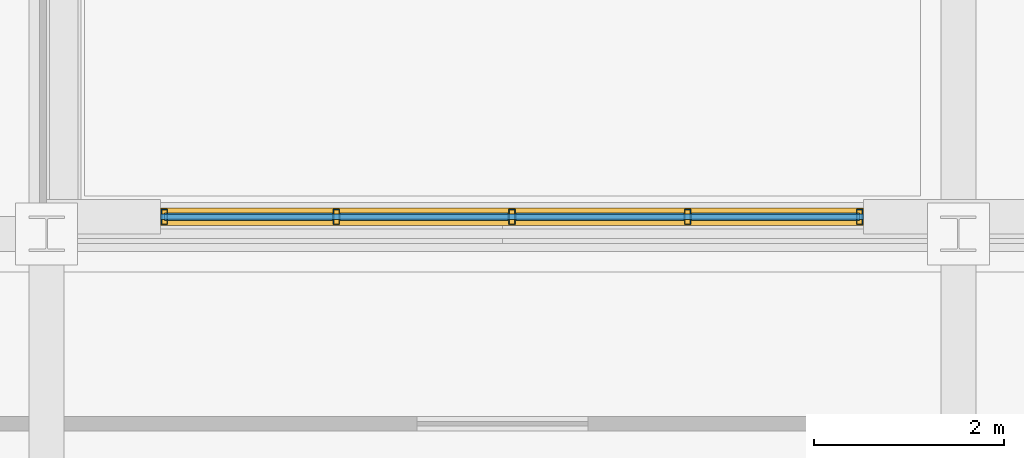
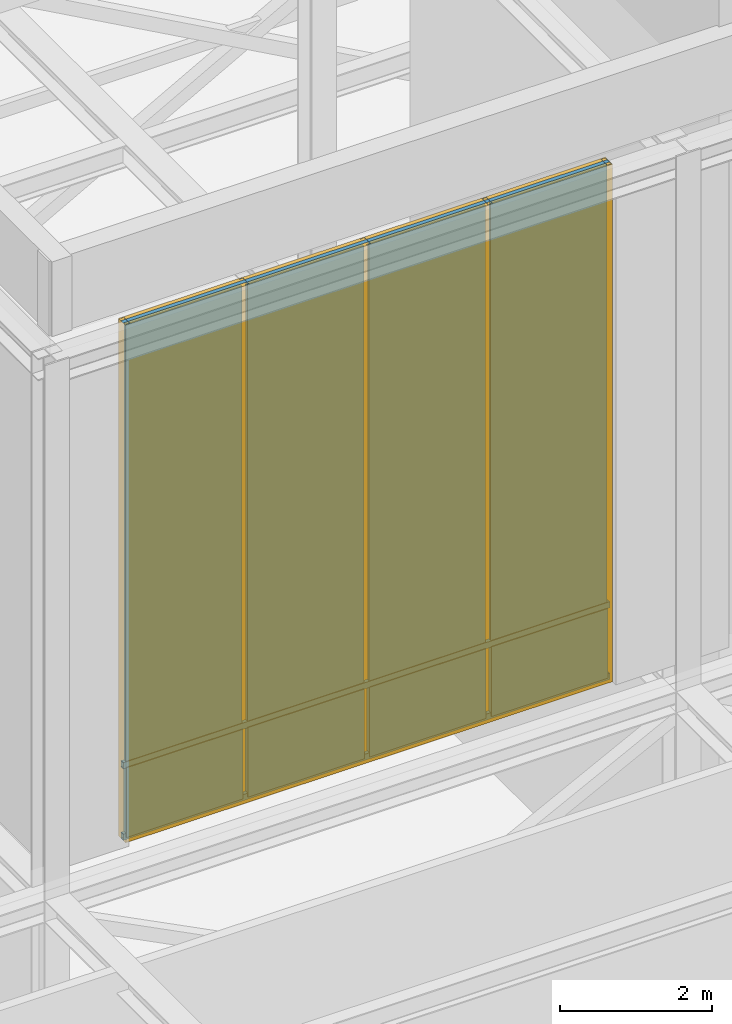
# One storey, part 8 of 17: 8 members, 8 plates, 1 curtain wall.
"""IFC4 building model written with IfcOpenShell, lengths in metres."""

from ifc_helpers import new_model, si_unit, direction, frame, frame_2d, origin, origin_2d, place, context, subcontext, project, spatial, rectangle, hollow_rectangle, extrude, material, layer, layer_set, material_profile, profile_set, type_object, element, aggregate, save


model = new_model("IFC4")

# Units and contexts
model_context = context("Model", 3, precision=1e-05, world=origin(), true_north=direction((0.0, 1.0)))
body_context = subcontext(model_context, "Body", "Model", "MODEL_VIEW")
ifc_project = project(units=[si_unit("LENGTHUNIT", "METRE"), si_unit("AREAUNIT", "SQUARE_METRE"), si_unit("VOLUMEUNIT", "CUBIC_METRE"), si_unit("PLANEANGLEUNIT", "RADIAN"), si_unit("MASSUNIT", "GRAM", prefix="KILO")], contexts=[model_context])

# Member
ifc_material_1 = material(Name="Anodized Aluminium 6063-T6", Category="aluminium")
ifc_material_profile_1 = material_profile(ifc_material_1, hollow_rectangle(XDim=0.06494140625, YDim=0.159912109375, WallThickness=0.00390625, at=origin_2d()), Name="Anodized Aluminium 6063-T6")
ifc_profile_set_1 = profile_set([ifc_material_profile_1], Name="Anodized Aluminium 6063-T6")
member_type_1 = type_object("IfcMemberType", Name="Curtain Wall Mullion 160", PredefinedType="MULLION", material=ifc_profile_set_1)
site_placement = place(None, origin())
building_placement = place(site_placement, origin())
storey_placement = place(building_placement, frame((0.0, 0.0, 308.0)))
member_1_placement = place(storey_placement, frame((20.43994140625, 9.780029296875, 5.800048828125), z_axis=(0.0, 0.0, 1.0), x_axis=(1.0, 0.0, 0.0)))
member_1 = element("IfcMember", 1, at=member_1_placement, type_object=member_type_1, Name="Curtain Wall Mullion CW-L78-LANT-S-M01", PredefinedType="MULLION", context=body_context, shape_type="SweptSolid", body=[
    extrude(hollow_rectangle(XDim=0.06494140625, YDim=0.159912109375, WallThickness=0.00390625, at=origin_2d()), origin(), (0.0, 0.0, 1.0), 8.320068359375),
])

member_2_placement = place(storey_placement, frame((22.25, 9.780029296875, 5.800048828125), z_axis=(0.0, 0.0, 1.0), x_axis=(1.0, 0.0, 0.0)))
member_2 = element("IfcMember", 2, at=member_2_placement, type_object=member_type_1, Name="Curtain Wall Mullion CW-L78-LANT-S-M02", PredefinedType="MULLION", context=body_context, shape_type="SweptSolid", body=[
    extrude(hollow_rectangle(XDim=0.06494140625, YDim=0.159912109375, WallThickness=0.00390625, at=origin_2d()), origin(), (0.0, 0.0, 1.0), 8.320068359375),
])

member_3_placement = place(storey_placement, frame((24.10009765625, 9.780029296875, 5.800048828125), z_axis=(0.0, 0.0, 1.0), x_axis=(1.0, 0.0, 0.0)))
member_3 = element("IfcMember", 3, at=member_3_placement, type_object=member_type_1, Name="Curtain Wall Mullion CW-L78-LANT-S-M03", PredefinedType="MULLION", context=body_context, shape_type="SweptSolid", body=[
    extrude(hollow_rectangle(XDim=0.06494140625, YDim=0.159912109375, WallThickness=0.00390625, at=origin_2d()), origin(), (0.0, 0.0, 1.0), 8.320068359375),
])

member_4_placement = place(storey_placement, frame((25.949951171875, 9.780029296875, 5.800048828125), z_axis=(0.0, 0.0, 1.0), x_axis=(1.0, 0.0, 0.0)))
member_4 = element("IfcMember", 4, at=member_4_placement, type_object=member_type_1, Name="Curtain Wall Mullion CW-L78-LANT-S-M04", PredefinedType="MULLION", context=body_context, shape_type="SweptSolid", body=[
    extrude(hollow_rectangle(XDim=0.06494140625, YDim=0.159912109375, WallThickness=0.00390625, at=origin_2d()), origin(), (0.0, 0.0, 1.0), 8.320068359375),
])

member_5_placement = place(storey_placement, frame((27.760009765625, 9.780029296875, 5.800048828125), z_axis=(0.0, 0.0, 1.0), x_axis=(1.0, 0.0, 0.0)))
member_5 = element("IfcMember", 5, at=member_5_placement, type_object=member_type_1, Name="Curtain Wall Mullion CW-L78-LANT-S-M05", PredefinedType="MULLION", context=body_context, shape_type="SweptSolid", body=[
    extrude(hollow_rectangle(XDim=0.06494140625, YDim=0.159912109375, WallThickness=0.00390625, at=origin_2d()), origin(), (0.0, 0.0, 1.0), 8.320068359375),
])

ifc_material_profile_2 = material_profile(ifc_material_1, hollow_rectangle(XDim=0.06005859375, YDim=0.10009765625, WallThickness=0.0029296875, at=origin_2d()), Name="Anodized Aluminium 6063-T6")
ifc_profile_set_2 = profile_set([ifc_material_profile_2], Name="Anodized Aluminium 6063-T6")
member_type_2 = type_object("IfcMemberType", Name="Curtain Wall Transom 100", PredefinedType="USERDEFINED", material=ifc_profile_set_2)
member_6_placement = place(storey_placement, frame((20.39990234375, 9.780029296875, 5.85009765625), z_axis=(1.0, 0.0, 0.0), x_axis=(0.0, 1.0, 0.0)))
member_6 = element("IfcMember", 6, at=member_6_placement, type_object=member_type_2, Name="Curtain Wall Transom CW-L78-LANT-S-T01", ObjectType="TRANSOM", PredefinedType="USERDEFINED", context=body_context, shape_type="SweptSolid", body=[
    extrude(hollow_rectangle(XDim=0.06005859375, YDim=0.10009765625, WallThickness=0.0029296875, at=origin_2d()), origin(), (0.0, 0.0, 1.0), 7.400146484375),
])

member_7_placement = place(storey_placement, frame((20.39990234375, 9.780029296875, 7.0), z_axis=(1.0, 0.0, 0.0), x_axis=(0.0, 1.0, 0.0)))
member_7 = element("IfcMember", 7, at=member_7_placement, type_object=member_type_2, Name="Curtain Wall Transom CW-L78-LANT-S-T02", ObjectType="TRANSOM", PredefinedType="USERDEFINED", context=body_context, shape_type="SweptSolid", body=[
    extrude(hollow_rectangle(XDim=0.06005859375, YDim=0.10009765625, WallThickness=0.0029296875, at=origin_2d()), origin(), (0.0, 0.0, 1.0), 7.400146484375),
])

member_8_placement = place(storey_placement, frame((20.39990234375, 9.780029296875, 14.070068359375), z_axis=(1.0, 0.0, 0.0), x_axis=(0.0, 1.0, 0.0)))
member_8 = element("IfcMember", 8, at=member_8_placement, type_object=member_type_2, Name="Curtain Wall Transom CW-L78-LANT-S-T03", ObjectType="TRANSOM", PredefinedType="USERDEFINED", context=body_context, shape_type="SweptSolid", body=[
    extrude(hollow_rectangle(XDim=0.06005859375, YDim=0.10009765625, WallThickness=0.0029296875, at=origin_2d()), origin(), (0.0, 0.0, 1.0), 7.400146484375),
])

# Plate
ifc_material_2 = material(Name="Triple Low-E Argon Glazing", Category="glass")
ifc_layer_1 = layer(ifc_material_2, 0.0439453125, Name="Triple Low-E Argon Glazing")
ifc_layer_set_1 = layer_set([ifc_layer_1], Name="Triple Low-E Argon Glazing")
plate_type_1 = type_object("IfcPlateType", Name="Plate CWGlazing 44", PredefinedType="CURTAIN_PANEL", material=ifc_layer_set_1)
plate_1_placement = place(storey_placement, frame((21.324951171875, 9.780029296875, 7.0400390625), z_axis=(0.0, 0.0, 1.0), x_axis=(1.0, 0.0, 0.0)))
plate_1 = element("IfcPlate", 9, at=plate_1_placement, type_object=plate_type_1, Name="Vision Glazing Panel CW-L78-LANT-S-GL01", PredefinedType="CURTAIN_PANEL", context=body_context, shape_type="SweptSolid", body=[
    extrude(rectangle(XDim=1.77001953125, YDim=0.0439453125, at=origin_2d()), origin(), (0.0, 0.0, 1.0), 7.0400390625),
])

plate_2_placement = place(storey_placement, frame((23.175048828125, 9.780029296875, 7.0400390625), z_axis=(0.0, 0.0, 1.0), x_axis=(1.0, 0.0, 0.0)))
plate_2 = element("IfcPlate", 10, at=plate_2_placement, type_object=plate_type_1, Name="Vision Glazing Panel CW-L78-LANT-S-GL02", PredefinedType="CURTAIN_PANEL", context=body_context, shape_type="SweptSolid", body=[
    extrude(rectangle(XDim=1.77001953125, YDim=0.0439453125, at=origin_2d()), origin(), (0.0, 0.0, 1.0), 7.0400390625),
])

plate_3_placement = place(storey_placement, frame((25.02490234375, 9.780029296875, 7.0400390625), z_axis=(0.0, 0.0, 1.0), x_axis=(1.0, 0.0, 0.0)))
plate_3 = element("IfcPlate", 11, at=plate_3_placement, type_object=plate_type_1, Name="Vision Glazing Panel CW-L78-LANT-S-GL03", PredefinedType="CURTAIN_PANEL", context=body_context, shape_type="SweptSolid", body=[
    extrude(rectangle(XDim=1.77001953125, YDim=0.0439453125, at=origin_2d()), origin(), (0.0, 0.0, 1.0), 7.0400390625),
])

plate_4_placement = place(storey_placement, frame((26.875, 9.780029296875, 7.0400390625), z_axis=(0.0, 0.0, 1.0), x_axis=(1.0, 0.0, 0.0)))
plate_4 = element("IfcPlate", 12, at=plate_4_placement, type_object=plate_type_1, Name="Vision Glazing Panel CW-L78-LANT-S-GL04", PredefinedType="CURTAIN_PANEL", context=body_context, shape_type="SweptSolid", body=[
    extrude(rectangle(XDim=1.77001953125, YDim=0.0439453125, at=origin_2d()), origin(), (0.0, 0.0, 1.0), 7.0400390625),
])

ifc_material_3 = material(Name="Insulated Aluminium Spandrel Panel", Category="aluminium")
ifc_layer_2 = layer(ifc_material_3, 0.080078125, Name="Insulated Aluminium Spandrel Panel")
ifc_layer_set_2 = layer_set([ifc_layer_2], Name="Insulated Aluminium Spandrel Panel")
plate_type_2 = type_object("IfcPlateType", Name="Plate CWSpandrel 80", PredefinedType="SHEET", material=ifc_layer_set_2)
plate_5_placement = place(storey_placement, frame((21.324951171875, 9.780029296875, 5.83984375), z_axis=(0.0, 0.0, 1.0), x_axis=(1.0, 0.0, 0.0)))
plate_5 = element("IfcPlate", 13, at=plate_5_placement, type_object=plate_type_2, Name="Spandrel Panel CW-L78-LANT-S-SP01", PredefinedType="SHEET", context=body_context, shape_type="SweptSolid", body=[
    extrude(rectangle(XDim=1.77001953125, YDim=0.080078125, at=origin_2d()), origin(), (0.0, 0.0, 1.0), 1.1201171875),
])

plate_6_placement = place(storey_placement, frame((23.175048828125, 9.780029296875, 5.83984375), z_axis=(0.0, 0.0, 1.0), x_axis=(1.0, 0.0, 0.0)))
plate_6 = element("IfcPlate", 14, at=plate_6_placement, type_object=plate_type_2, Name="Spandrel Panel CW-L78-LANT-S-SP02", PredefinedType="SHEET", context=body_context, shape_type="SweptSolid", body=[
    extrude(rectangle(XDim=1.77001953125, YDim=0.080078125, at=origin_2d()), origin(), (0.0, 0.0, 1.0), 1.1201171875),
])

plate_7_placement = place(storey_placement, frame((25.02490234375, 9.780029296875, 5.83984375), z_axis=(0.0, 0.0, 1.0), x_axis=(1.0, 0.0, 0.0)))
plate_7 = element("IfcPlate", 15, at=plate_7_placement, type_object=plate_type_2, Name="Spandrel Panel CW-L78-LANT-S-SP03", PredefinedType="SHEET", context=body_context, shape_type="SweptSolid", body=[
    extrude(rectangle(XDim=1.77001953125, YDim=0.080078125, at=origin_2d()), origin(), (0.0, 0.0, 1.0), 1.1201171875),
])

plate_8_placement = place(storey_placement, frame((26.875, 9.780029296875, 5.83984375), z_axis=(0.0, 0.0, 1.0), x_axis=(1.0, 0.0, 0.0)))
plate_8 = element("IfcPlate", 16, at=plate_8_placement, type_object=plate_type_2, Name="Spandrel Panel CW-L78-LANT-S-SP04", PredefinedType="SHEET", context=body_context, shape_type="SweptSolid", body=[
    extrude(rectangle(XDim=1.77001953125, YDim=0.080078125, at=origin_2d()), origin(), (0.0, 0.0, 1.0), 1.1201171875),
])

# Site, building, storey
site = spatial("IfcSite", under=ifc_project, at=site_placement, CompositionType="ELEMENT")
building = spatial("IfcBuilding", under=site, at=building_placement, Name="Norrvale University Quadrangle", CompositionType="ELEMENT")
storey = spatial("IfcBuildingStorey", under=building, at=storey_placement, Name="L78", CompositionType="ELEMENT", Elevation=308.0)

# Curtain wall
ifc_material_4 = material(Name="Anodized Aluminium and Triple Glazing", Category="glass")
curtain_wall_type = type_object("IfcCurtainWallType", Name="Curtain Wall System 6 Pool Crown", PredefinedType="NOTDEFINED", material=ifc_material_4)
curtain_wall_placement = place(storey_placement, frame((20.39990234375, 9.780029296875, 5.800048828125), z_axis=(0.0, 0.0, 1.0), x_axis=(1.0, 0.0, 0.0)))
curtain_wall = element("IfcCurtainWall", 17, at=curtain_wall_placement, inside=storey, type_object=curtain_wall_type, Name="Curtain Wall CW System 6 Pool Crown CW-L78-LANT-S", PredefinedType="NOTDEFINED", context=body_context, shape_type="SweptSolid", body=[
    extrude(rectangle(XDim=7.400146484375, YDim=0.18505859375, at=frame_2d((3.7001953125, 0.0))), origin(), (0.0, 0.0, 1.0), 8.320068359375),
])

aggregate(curtain_wall, [member_1, member_2, member_3, member_4, member_5, member_6, member_7, member_8, plate_5, plate_1, plate_6, plate_2, plate_7, plate_3, plate_8, plate_4])

save(model, "model.ifc")
